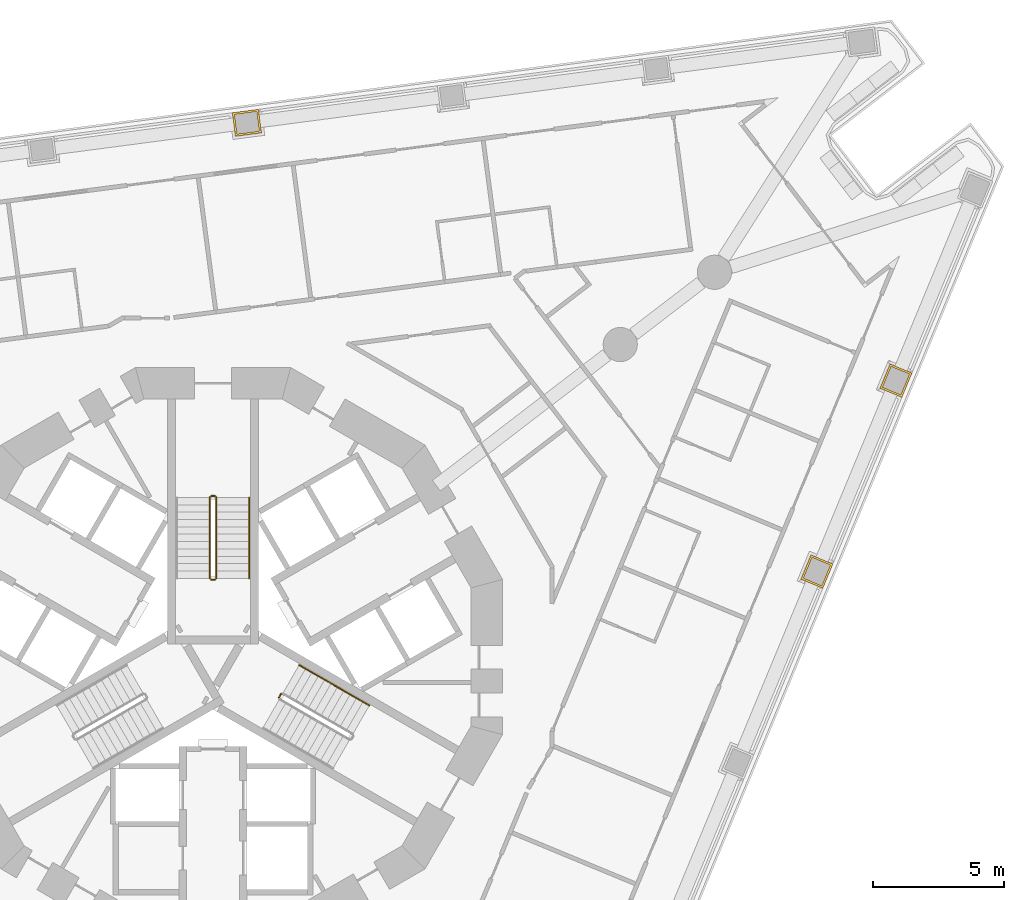
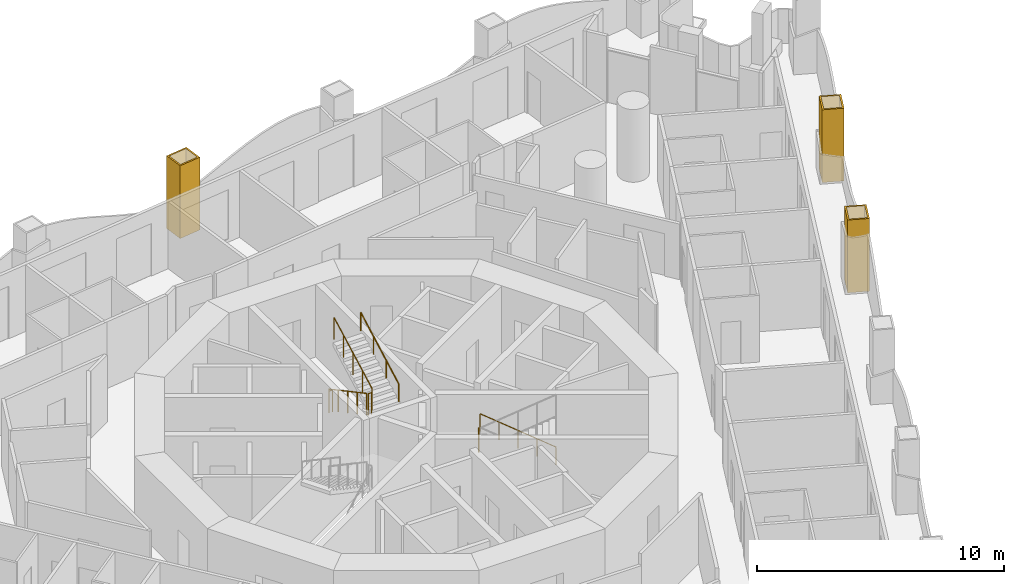
# One storey, part 17 of 19: 8 railings, 3 coverings.
"""IFC4 building model written with IfcOpenShell, lengths in metres."""

from ifc_helpers import new_model, si_unit, direction, frame, origin, origin_2d, place, context, subcontext, project, spatial, polyline, circle, outline, extrude, material, layer, layer_set, type_object, element, save


model = new_model("IFC4")

# Units and contexts
model_context = context("Model", 3, precision=1e-05, world=origin(), true_north=direction((0.0, 1.0)))
body_context = subcontext(model_context, "Body", "Model", "MODEL_VIEW")
ifc_project = project(units=[si_unit("LENGTHUNIT", "METRE"), si_unit("AREAUNIT", "SQUARE_METRE"), si_unit("VOLUMEUNIT", "CUBIC_METRE"), si_unit("PLANEANGLEUNIT", "RADIAN"), si_unit("MASSUNIT", "GRAM", prefix="KILO")], contexts=[model_context])

# Site, building, storey
site_placement = place(None, origin())
site = spatial("IfcSite", under=ifc_project, at=site_placement, CompositionType="ELEMENT")
building_placement = place(site_placement, origin())
building = spatial("IfcBuilding", under=site, at=building_placement, Name="Trine Commons Tower", CompositionType="ELEMENT")
storey_placement = place(building_placement, frame((0.0, 0.0, 68.39990234375)))
storey = spatial("IfcBuildingStorey", under=building, at=storey_placement, Name="L16", CompositionType="ELEMENT", Elevation=68.39990234375)

# Coverings
ifc_material_1 = material(Name="Limestone, honed", Category="masonry")
ifc_layer = layer(ifc_material_1, 0.074951171875)
ifc_layer_set = layer_set([ifc_layer], Name="Limestone, honed")
covering_type = type_object("IfcCoveringType", Name="Limestone column cladding 75", PredefinedType="CLADDING", material=ifc_layer_set)
covering_1_placement = place(storey_placement, origin())
element("IfcCovering", 1, at=covering_1_placement, inside=storey, type_object=covering_type, Name="Limestone pier cladding 2-13", PredefinedType="CLADDING", context=body_context, shape_type="SweptSolid", body=[
    extrude(outline(polyline([(81.843505859375, 82.43798828125), (81.72607421875, 83.330322265625), (80.734619140625, 83.19970703125), (80.85205078125, 82.3076171875), (81.843505859375, 82.43798828125)]), holes=[polyline([(81.759521484375, 82.502685546875), (81.66162109375, 83.24609375), (80.81884765625, 83.13525390625), (80.916748046875, 82.3916015625), (81.759521484375, 82.502685546875)])]), origin(), (0.0, 0.0, 1.0), 3.60009765625),
])
covering_2_placement = place(storey_placement, origin())
element("IfcCovering", 2, at=covering_2_placement, inside=storey, type_object=covering_type, Name="Limestone pier cladding 2-18", PredefinedType="CLADDING", context=body_context, shape_type="SweptSolid", body=[
    extrude(outline(polyline([(106.58349609375, 73.30029296875), (105.751953125, 73.644775390625), (105.369140625, 72.720947265625), (106.20068359375, 72.37646484375), (106.58349609375, 73.30029296875)]), holes=[polyline([(106.4853515625, 73.259765625), (105.79248046875, 73.546875), (105.46728515625, 72.761474609375), (106.16015625, 72.474365234375), (106.4853515625, 73.259765625)])]), origin(), (0.0, 0.0, 1.0), 3.60009765625),
])
covering_3_placement = place(storey_placement, origin())
element("IfcCovering", 3, at=covering_3_placement, inside=storey, type_object=covering_type, Name="Limestone pier cladding 2-19", PredefinedType="CLADDING", context=body_context, shape_type="SweptSolid", body=[
    extrude(outline(polyline([(103.575439453125, 66.0380859375), (102.743896484375, 66.382568359375), (102.361083984375, 65.458740234375), (103.192626953125, 65.114501953125), (103.575439453125, 66.0380859375)]), holes=[polyline([(103.477294921875, 65.99755859375), (102.784423828125, 66.28466796875), (102.459228515625, 65.49951171875), (103.152099609375, 65.21240234375), (103.477294921875, 65.99755859375)])]), origin(), (0.0, 0.0, 1.0), 3.60009765625),
])

# Railings
ifc_material_2 = material(Name="Stainless steel balustrade", Category="steel")
railing_type_1 = type_object("IfcRailingType", Name="Stair guard, steel balustrade 1100", PredefinedType="GUARDRAIL", material=ifc_material_2)
railing_1_placement = place(storey_placement, frame((79.875, 68.570556640625, 0.150146484375)))
element("IfcRailing", 4, at=railing_1_placement, inside=storey, type_object=railing_type_1, Name="L16 ST1A stair guard 1", PredefinedType="GUARDRAIL", context=body_context, shape_type="SweptSolid", body=[
    extrude(circle(Radius=0.02392578125, at=origin_2d()), frame((0.0, 0.0, 1.076171875), z_axis=(0.0, -0.881496589024, 0.472190389079), x_axis=(1.0, 0.0, 0.0)), (0.0, 0.0, 1.0), 3.494140625),
    extrude(circle(Radius=0.02099609375, at=origin_2d()), origin(), (0.0, 0.0, 1.0), 1.052001953125),
    extrude(circle(Radius=0.02099609375, at=origin_2d()), frame((0.0, -0.77001953125, 0.41259765625)), (0.0, 0.0, 1.0), 1.052001953125),
    extrude(circle(Radius=0.02099609375, at=origin_2d()), frame((0.0, -1.5400390625, 0.824951171875)), (0.0, 0.0, 1.0), 1.052001953125),
    extrude(circle(Radius=0.02099609375, at=origin_2d()), frame((0.0, -2.31005859375, 1.2373046875)), (0.0, 0.0, 1.0), 1.052001953125),
    extrude(circle(Radius=0.02099609375, at=origin_2d()), frame((0.0, -3.080078125, 1.64990234375)), (0.0, 0.0, 1.0), 1.052001953125),
])
railing_2_placement = place(storey_placement, frame((79.925048828125, 65.440673828125, 1.800048828125)))
element("IfcRailing", 5, at=railing_2_placement, inside=storey, type_object=railing_type_1, Name="L16 ST1A stair guard 2", PredefinedType="GUARDRAIL", context=body_context, shape_type="SweptSolid", body=[
    extrude(circle(Radius=0.02392578125, at=origin_2d()), frame((0.0, 0.0, 1.076171875), z_axis=(1.0, 0.0, 0.0), x_axis=(0.0, 1.0, 0.0)), (0.0, 0.0, 1.0), 0.14990234375),
    extrude(circle(Radius=0.02099609375, at=origin_2d()), origin(), (0.0, 0.0, 1.0), 1.052001953125),
    extrude(circle(Radius=0.02099609375, at=origin_2d()), frame((0.14990234375, 0.0, 0.0)), (0.0, 0.0, 1.0), 1.052001953125),
])
railing_3_placement = place(storey_placement, frame((80.125, 65.490478515625, 1.9501953125)))
element("IfcRailing", 6, at=railing_3_placement, inside=storey, type_object=railing_type_1, Name="L16 ST1A stair guard 3", PredefinedType="GUARDRAIL", context=body_context, shape_type="SweptSolid", body=[
    extrude(circle(Radius=0.02392578125, at=origin_2d()), frame((0.0, 0.0, 1.076171875), z_axis=(0.0, 0.881496589024, 0.472190389079), x_axis=(-1.0, 0.0, 0.0)), (0.0, 0.0, 1.0), 3.494140625),
    extrude(circle(Radius=0.02099609375, at=origin_2d()), origin(), (0.0, 0.0, 1.0), 1.052001953125),
    extrude(circle(Radius=0.02099609375, at=origin_2d()), frame((0.0, 0.77001953125, 0.41259765625)), (0.0, 0.0, 1.0), 1.052001953125),
    extrude(circle(Radius=0.02099609375, at=origin_2d()), frame((0.0, 1.5400390625, 0.824951171875)), (0.0, 0.0, 1.0), 1.052001953125),
    extrude(circle(Radius=0.02099609375, at=origin_2d()), frame((0.0, 2.31005859375, 1.2373046875)), (0.0, 0.0, 1.0), 1.052001953125),
    extrude(circle(Radius=0.02099609375, at=origin_2d()), frame((0.0, 3.080078125, 1.64990234375)), (0.0, 0.0, 1.0), 1.052001953125),
])
railing_4_placement = place(storey_placement, frame((79.925048828125, 68.62060546875, 0.0)))
element("IfcRailing", 7, at=railing_4_placement, inside=storey, type_object=railing_type_1, Name="L16 ST1A stair guard 4", PredefinedType="GUARDRAIL", context=body_context, shape_type="SweptSolid", body=[
    extrude(circle(Radius=0.02392578125, at=origin_2d()), frame((0.0, 0.0, 1.076171875), z_axis=(1.0, 0.0, 0.0), x_axis=(0.0, 1.0, 0.0)), (0.0, 0.0, 1.0), 0.14990234375),
    extrude(circle(Radius=0.02099609375, at=origin_2d()), origin(), (0.0, 0.0, 1.0), 1.052001953125),
    extrude(circle(Radius=0.02099609375, at=origin_2d()), frame((0.14990234375, 0.0, 0.0)), (0.0, 0.0, 1.0), 1.052001953125),
])
railing_5_placement = place(storey_placement, frame((82.584228515625, 61.0947265625, 1.800048828125)))
element("IfcRailing", 8, at=railing_5_placement, inside=storey, type_object=railing_type_1, Name="L16 ST3A stair guard 2", PredefinedType="GUARDRAIL", context=body_context, shape_type="SweptSolid", body=[
    extrude(circle(Radius=0.02392578125, at=origin_2d()), frame((0.0, 0.0, 1.076171875), z_axis=(-0.501036270542, -0.865426285481, 0.0), x_axis=(0.865426285481, -0.501036270542, 0.0)), (0.0, 0.0, 1.0), 0.150146484375),
    extrude(circle(Radius=0.02099609375, at=origin_2d()), origin(), (0.0, 0.0, 1.0), 1.052001953125),
    extrude(circle(Radius=0.02099609375, at=origin_2d()), frame((-0.0751953125, -0.1298828125, 0.0)), (0.0, 0.0, 1.0), 1.052001953125),
])
ifc_material_3 = material(Name="Stainless steel handrail", Category="steel")
railing_type_2 = type_object("IfcRailingType", Name="Stair handrail, steel 900", PredefinedType="HANDRAIL", material=ifc_material_3)
railing_6_placement = place(storey_placement, frame((81.375, 65.490478515625, 1.9501953125)))
element("IfcRailing", 9, at=railing_6_placement, inside=storey, type_object=railing_type_2, Name="L16 ST1A stair handrail 2", PredefinedType="HANDRAIL", context=body_context, shape_type="SweptSolid", body=[
    extrude(circle(Radius=0.02099609375, at=origin_2d()), frame((0.0, 0.0, 0.87890625), z_axis=(0.0, 0.881496589024, 0.472190389079), x_axis=(-1.0, 0.0, 0.0)), (0.0, 0.0, 1.0), 3.494140625),
    extrude(circle(Radius=0.01513671875, at=origin_2d()), origin(), (0.0, 0.0, 1.0), 0.85791015625),
    extrude(circle(Radius=0.01513671875, at=origin_2d()), frame((0.0, 1.026611328125, 0.550048828125)), (0.0, 0.0, 1.0), 0.85791015625),
    extrude(circle(Radius=0.01513671875, at=origin_2d()), frame((0.0, 2.053466796875, 1.099853515625)), (0.0, 0.0, 1.0), 0.85791015625),
    extrude(circle(Radius=0.01513671875, at=origin_2d()), frame((0.0, 3.080078125, 1.64990234375)), (0.0, 0.0, 1.0), 0.85791015625),
])
for number, where, name in (
    (10, (85.94482421875, 60.655517578125, 0.150146484375), "L16 ST3A stair handrail 1"),
    (11, (84.611083984375, 61.425537109375, 0.97509765625), "L16 ST3A stair handrail 2"),
):
    element("IfcRailing", number, at=place(storey_placement, frame(where)), inside=storey, type_object=railing_type_2, Name=name, PredefinedType="HANDRAIL", context=body_context, shape_type="SweptSolid", body=[
        extrude(circle(Radius=0.02099609375, at=origin_2d()), frame((0.0, 0.0, 0.87890625), z_axis=(-0.76340495495, 0.440743040072, 0.472184759798), x_axis=(-0.499992328818, -0.866029832698, 0.0)), (0.0, 0.0, 1.0), 1.7470703125),
        extrude(circle(Radius=0.01513671875, at=origin_2d()), origin(), (0.0, 0.0, 1.0), 0.85791015625),
        extrude(circle(Radius=0.01513671875, at=origin_2d()), frame((-0.6669921875, 0.385009765625, 0.41259765625)), (0.0, 0.0, 1.0), 0.85791015625),
        extrude(circle(Radius=0.01513671875, at=origin_2d()), frame((-1.333740234375, 0.77001953125, 0.824951171875)), (0.0, 0.0, 1.0), 0.85791015625),
    ])

save(model, "model.ifc")
